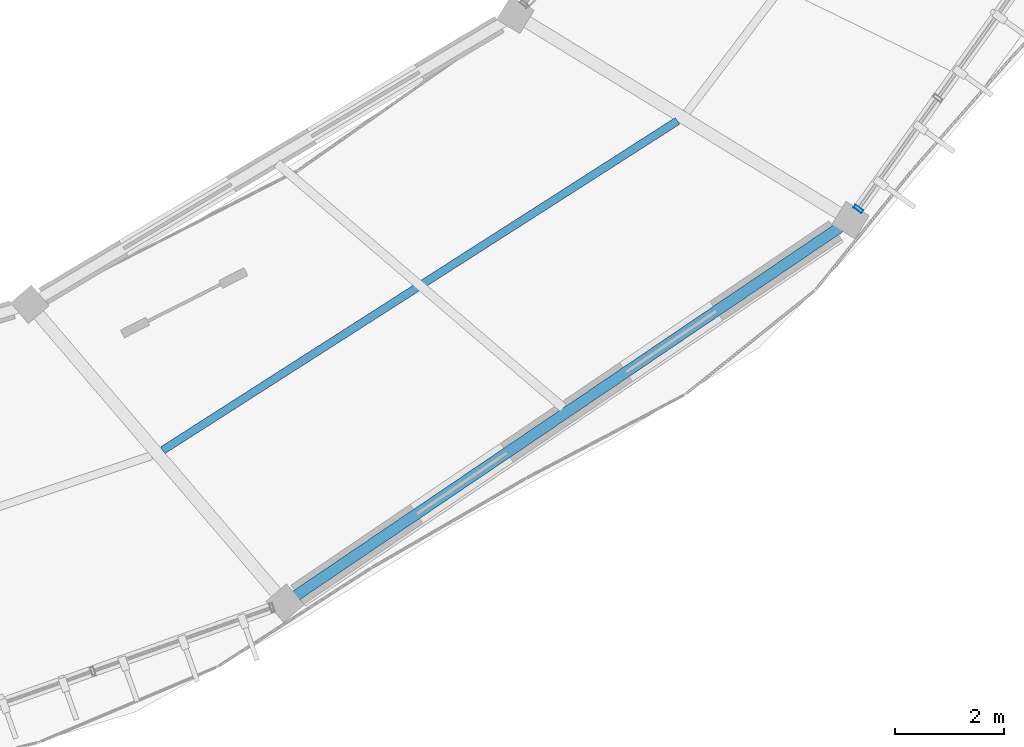
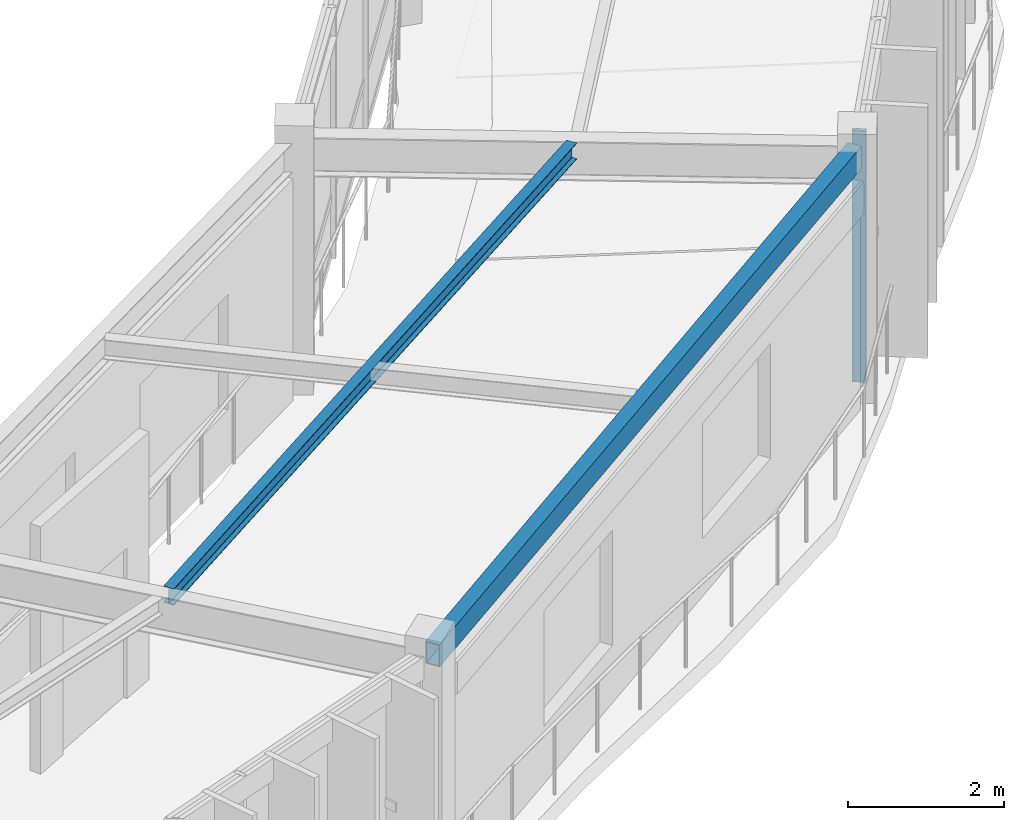
# One storey, part 48 of 78: 2 beams, 1 member, 1 element without a shape of its own.
"""IFC4 building model written with IfcOpenShell, lengths in metres."""

from ifc_helpers import new_model, si_unit, direction, frame, origin, origin_2d, place, context, subcontext, project, spatial, hollow_rectangle, i_section, extrude, material, material_profile, profile_set, type_object, element, aggregate, save


model = new_model("IFC4")

# Units and contexts
model_context = context("Model", 3, precision=1e-05, world=origin(), true_north=direction((0.0, 1.0)))
body_context = subcontext(model_context, "Body", "Model", "MODEL_VIEW")
ifc_project = project(units=[si_unit("LENGTHUNIT", "METRE"), si_unit("AREAUNIT", "SQUARE_METRE"), si_unit("VOLUMEUNIT", "CUBIC_METRE"), si_unit("PLANEANGLEUNIT", "RADIAN"), si_unit("MASSUNIT", "GRAM", prefix="KILO"), si_unit("THERMODYNAMICTEMPERATUREUNIT", "KELVIN"), si_unit("POWERUNIT", "WATT")], contexts=[model_context])

# Site, building, storey
site_placement = place(None, origin())
site = spatial("IfcSite", under=ifc_project, at=site_placement, CompositionType="ELEMENT")
building_placement = place(site_placement, origin())
building = spatial("IfcBuilding", under=site, at=building_placement, Name="Darbajah Civic Hall", CompositionType="ELEMENT")
storey_placement = place(building_placement, frame((0.0, 0.0, 26.39990234375)))
storey = spatial("IfcBuildingStorey", under=building, at=storey_placement, Name="L06", CompositionType="ELEMENT", Elevation=26.39990234375)

# Curtain wall, member
ifc_material_1 = material(Name="Anodised Bronze Aluminium and Low-E Glazing", Category="aluminium")
curtain_wall_type = type_object("IfcCurtainWallType", Name="Unitised Curtain Wall CW-92 10000x3900", PredefinedType="USERDEFINED", material=ifc_material_1)
curtain_wall_placement = place(storey_placement, origin())
curtain_wall = element("IfcCurtainWall", 1, at=curtain_wall_placement, inside=storey, type_object=curtain_wall_type, Name="L06 unitised curtain wall CW-V1O-L06-18", ObjectType="UNITISED CURTAIN WALL", PredefinedType="USERDEFINED")
ifc_material_2 = material(Name="Anodised Bronze Aluminium", Category="aluminium")
ifc_material_profile_1 = material_profile(ifc_material_2, hollow_rectangle(XDim=0.06494140625, YDim=0.179931640625, WallThickness=0.00390625, at=origin_2d()), Name="ALU MULLION 65x180")
ifc_profile_set_1 = profile_set([ifc_material_profile_1], Name="Anodised Bronze Aluminium")
member_type = type_object("IfcMemberType", Name="ALU MULLION 65x180", PredefinedType="MULLION", material=ifc_profile_set_1)
member_placement = place(storey_placement, frame((132.731201171875, 74.59130859375, 0.0), z_axis=(0.0, 0.0, 1.0), x_axis=(0.582264874145, 0.812999149039, 0.0)))
member = element("IfcMember", 2, at=member_placement, type_object=member_type, Name="CW-V1O-L06-18 mullion 1", PredefinedType="MULLION", context=body_context, shape_type="SweptSolid", body=[
    extrude(hollow_rectangle(XDim=0.06494140625, YDim=0.179931640625, WallThickness=0.00390625, at=origin_2d()), origin(), (0.0, 0.0, 1.0), 3.920166015625),
])
aggregate(curtain_wall, [member])

# Beams
ifc_material_3 = material(Name="Steel S355JR", Category="steel")
ifc_material_profile_2 = material_profile(ifc_material_3, hollow_rectangle(XDim=0.199951171875, YDim=0.35009765625, WallThickness=0.012451171875, at=origin_2d()), Name="RHS 350x200x12.5")
ifc_profile_set_2 = profile_set([ifc_material_profile_2], Name="Steel S355JR")
beam_type_1 = type_object("IfcBeamType", Name="RHS 350x200x12.5", PredefinedType="SPANDREL", material=ifc_profile_set_2)
beam_1_placement = place(storey_placement, frame((122.2880859375, 67.412841796875, 3.7451171875), z_axis=(0.827982022698, 0.560754643394, 0.0), x_axis=(-0.560754643394, 0.827982022698, 0.0)))
element("IfcBeam", 3, at=beam_1_placement, inside=storey, type_object=beam_type_1, Name="L06 beam SP-RHS350", PredefinedType="SPANDREL", context=body_context, shape_type="SweptSolid", body=[
    extrude(hollow_rectangle(XDim=0.199951171875, YDim=0.35009765625, WallThickness=0.012451171875, at=origin_2d()), origin(), (0.0, 0.0, 1.0), 12.355712890625),
])
ifc_material_profile_3 = material_profile(ifc_material_3, i_section(OverallWidth=0.146484375, OverallDepth=0.256103515625, WebThickness=0.00634765625, FlangeThickness=0.010986328125, FilletRadius=0.007568359375, at=origin_2d()), Name="UB 254x146x37")
ifc_profile_set_3 = profile_set([ifc_material_profile_3], Name="Steel S355JR")
beam_type_2 = type_object("IfcBeamType", Name="UB 254x146x37", PredefinedType="JOIST", material=ifc_profile_set_3)
beam_2_placement = place(storey_placement, frame((119.981689453125, 70.16796875, 3.7919921875), z_axis=(0.842354117653, 0.538924429279, 0.0), x_axis=(-0.538924429279, 0.842354117653, 0.0)))
element("IfcBeam", 4, at=beam_2_placement, inside=storey, type_object=beam_type_2, Name="L06 beam SJ-254", PredefinedType="JOIST", context=body_context, shape_type="SweptSolid", body=[
    extrude(i_section(OverallWidth=0.146484375, OverallDepth=0.256103515625, WebThickness=0.00634765625, FlangeThickness=0.010986328125, FilletRadius=0.007568359375, at=origin_2d()), origin(), (0.0, 0.0, 1.0), 11.20166015625),
])

save(model, "model.ifc")
